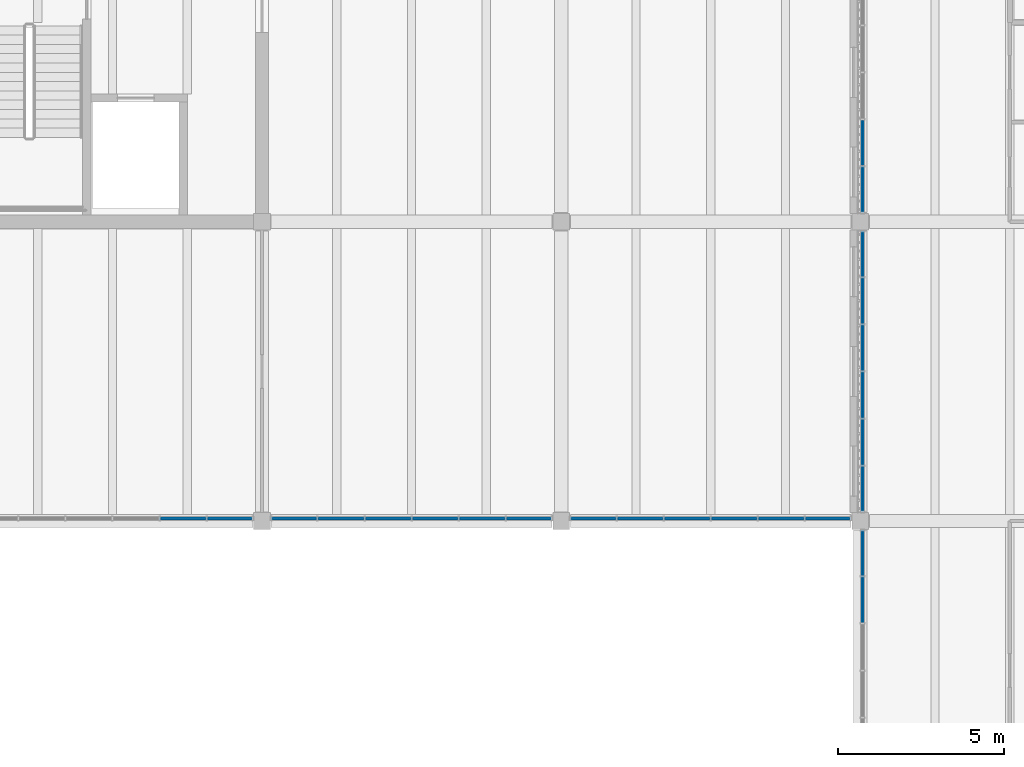
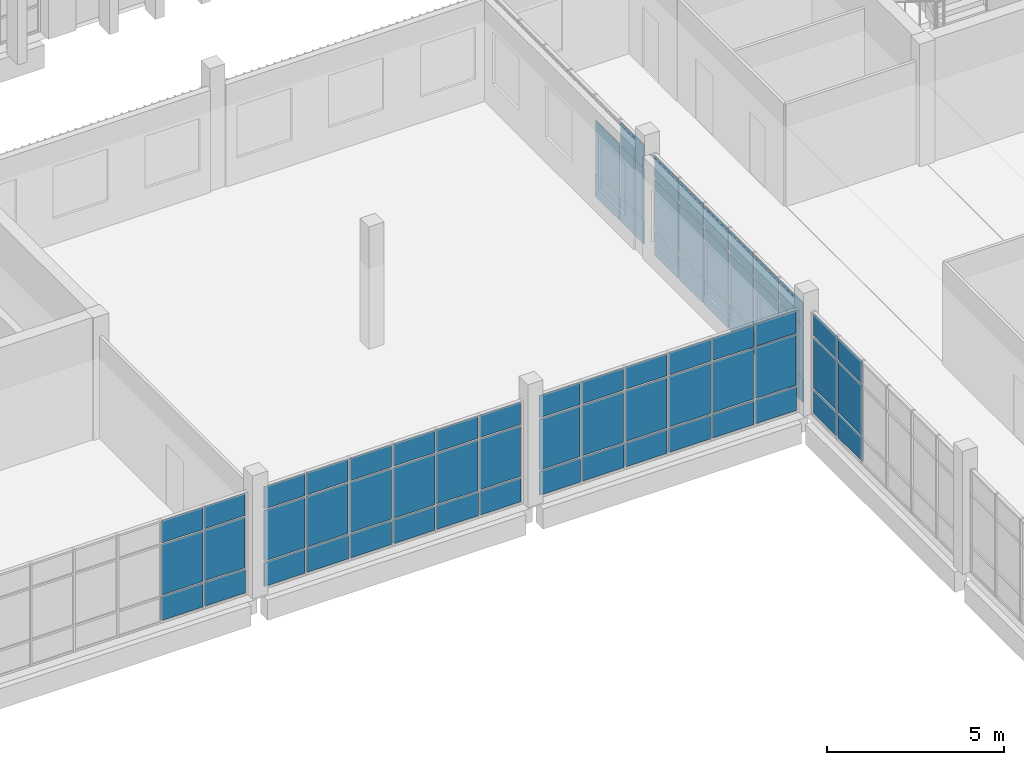
# One storey, part 43 of 92: 71 plates, 6 elements without a shape of their own.
"""IFC4 building model written with IfcOpenShell, lengths in metres."""

from ifc_helpers import new_model, si_unit, direction, frame, origin, origin_2d, place, context, subcontext, project, spatial, rectangle, extrude, material, layer, layer_set, type_object, element, aggregate, save


model = new_model("IFC4")

# Units and contexts
model_context = context("Model", 3, precision=1e-05, world=origin(), true_north=direction((0.0, 1.0)))
body_context = subcontext(model_context, "Body", "Model", "MODEL_VIEW")
ifc_project = project(units=[si_unit("LENGTHUNIT", "METRE"), si_unit("AREAUNIT", "SQUARE_METRE"), si_unit("VOLUMEUNIT", "CUBIC_METRE"), si_unit("PLANEANGLEUNIT", "RADIAN"), si_unit("MASSUNIT", "GRAM", prefix="KILO")], contexts=[model_context])

# Site, building, storey
site_placement = place(None, origin())
site = spatial("IfcSite", under=ifc_project, at=site_placement, CompositionType="ELEMENT")
building_placement = place(site_placement, origin())
building = spatial("IfcBuilding", under=site, at=building_placement, Name="Merrow Basin Faculty of Sciences", CompositionType="ELEMENT")
storey_placement = place(building_placement, frame((0.0, 0.0, 4.5)))
storey = spatial("IfcBuildingStorey", under=building, at=storey_placement, Name="L01", CompositionType="ELEMENT", Elevation=4.5)

# Curtain wall, plates
ifc_material_1 = material(Name="Aluminium alloy 6063", Category="aluminium")
curtain_wall_type = type_object("IfcCurtainWallType", Name="Court curtain wall 140", PredefinedType="NOTDEFINED", material=ifc_material_1)
curtain_wall_1_placement = place(storey_placement, origin())
curtain_wall_1 = element("IfcCurtainWall", 1, at=curtain_wall_1_placement, inside=storey, type_object=curtain_wall_type, Name="Court curtain wall L01 6", PredefinedType="NOTDEFINED")
ifc_material_2 = material(Name="Insulated aluminium spandrel panel", Category="aluminium")
ifc_layer_1 = layer(ifc_material_2, 0.052001953125)
ifc_layer_set_1 = layer_set([ifc_layer_1], Name="Insulated spandrel panel 52")
plate_type_1 = type_object("IfcPlateType", Name="Insulated spandrel panel 52", PredefinedType="CURTAIN_PANEL", material=ifc_layer_set_1)
plate_1_placement = place(storey_placement, frame((54.070068359375, 112.625, 0.06005859375), z_axis=(0.0, 0.0, 1.0), x_axis=(0.0, 1.0, 0.0)))
plate_1 = element("IfcPlate", 2, at=plate_1_placement, type_object=plate_type_1, Name="CW8 panel 5.1", PredefinedType="CURTAIN_PANEL", context=body_context, shape_type="SweptSolid", body=[
    extrude(rectangle(XDim=1.356689453125, YDim=0.052001953125, at=origin_2d()), origin(), (0.0, 0.0, 1.0), 0.81005859375),
])
plate_2_placement = place(storey_placement, frame((54.070068359375, 114.026611328125, 0.06005859375), z_axis=(0.0, 0.0, 1.0), x_axis=(0.0, 1.0, 0.0)))
plate_2 = element("IfcPlate", 3, at=plate_2_placement, type_object=plate_type_1, Name="CW8 panel 6.1", PredefinedType="CURTAIN_PANEL", context=body_context, shape_type="SweptSolid", body=[
    extrude(rectangle(XDim=1.32666015625, YDim=0.052001953125, at=origin_2d()), origin(), (0.0, 0.0, 1.0), 0.81005859375),
])

curtain_wall_2_placement = place(storey_placement, origin())
curtain_wall_2 = element("IfcCurtainWall", 4, at=curtain_wall_2_placement, inside=storey, type_object=curtain_wall_type, Name="Court curtain wall L01 7", PredefinedType="NOTDEFINED")
plate_3_placement = place(storey_placement, frame((54.070068359375, 115.973388671875, 0.06005859375), z_axis=(0.0, 0.0, 1.0), x_axis=(0.0, 1.0, 0.0)))
plate_3 = element("IfcPlate", 5, at=plate_3_placement, type_object=plate_type_1, Name="CW8 panel 1.1", PredefinedType="CURTAIN_PANEL", context=body_context, shape_type="SweptSolid", body=[
    extrude(rectangle(XDim=1.32666015625, YDim=0.052001953125, at=origin_2d()), origin(), (0.0, 0.0, 1.0), 0.81005859375),
])
plate_4_placement = place(storey_placement, frame((54.070068359375, 117.375, 0.06005859375), z_axis=(0.0, 0.0, 1.0), x_axis=(0.0, 1.0, 0.0)))
plate_4 = element("IfcPlate", 6, at=plate_4_placement, type_object=plate_type_1, Name="CW8 panel 2.1", PredefinedType="CURTAIN_PANEL", context=body_context, shape_type="SweptSolid", body=[
    extrude(rectangle(XDim=1.356689453125, YDim=0.052001953125, at=origin_2d()), origin(), (0.0, 0.0, 1.0), 0.81005859375),
])
plate_5_placement = place(storey_placement, frame((54.070068359375, 118.791748046875, 0.06005859375), z_axis=(0.0, 0.0, 1.0), x_axis=(0.0, 1.0, 0.0)))
plate_5 = element("IfcPlate", 7, at=plate_5_placement, type_object=plate_type_1, Name="CW8 panel 3.1", PredefinedType="CURTAIN_PANEL", context=body_context, shape_type="SweptSolid", body=[
    extrude(rectangle(XDim=1.356689453125, YDim=0.052001953125, at=origin_2d()), origin(), (0.0, 0.0, 1.0), 0.81005859375),
])
plate_6_placement = place(storey_placement, frame((54.070068359375, 120.208251953125, 0.06005859375), z_axis=(0.0, 0.0, 1.0), x_axis=(0.0, 1.0, 0.0)))
plate_6 = element("IfcPlate", 8, at=plate_6_placement, type_object=plate_type_1, Name="CW8 panel 4.1", PredefinedType="CURTAIN_PANEL", context=body_context, shape_type="SweptSolid", body=[
    extrude(rectangle(XDim=1.356689453125, YDim=0.052001953125, at=origin_2d()), origin(), (0.0, 0.0, 1.0), 0.81005859375),
])
plate_7_placement = place(storey_placement, frame((54.070068359375, 121.625, 0.06005859375), z_axis=(0.0, 0.0, 1.0), x_axis=(0.0, 1.0, 0.0)))
plate_7 = element("IfcPlate", 9, at=plate_7_placement, type_object=plate_type_1, Name="CW8 panel 5.1", PredefinedType="CURTAIN_PANEL", context=body_context, shape_type="SweptSolid", body=[
    extrude(rectangle(XDim=1.356689453125, YDim=0.052001953125, at=origin_2d()), origin(), (0.0, 0.0, 1.0), 0.81005859375),
])
plate_8_placement = place(storey_placement, frame((54.070068359375, 123.026611328125, 0.06005859375), z_axis=(0.0, 0.0, 1.0), x_axis=(0.0, 1.0, 0.0)))
plate_8 = element("IfcPlate", 10, at=plate_8_placement, type_object=plate_type_1, Name="CW8 panel 6.1", PredefinedType="CURTAIN_PANEL", context=body_context, shape_type="SweptSolid", body=[
    extrude(rectangle(XDim=1.32666015625, YDim=0.052001953125, at=origin_2d()), origin(), (0.0, 0.0, 1.0), 0.81005859375),
])

curtain_wall_3_placement = place(storey_placement, origin())
curtain_wall_3 = element("IfcCurtainWall", 11, at=curtain_wall_3_placement, inside=storey, type_object=curtain_wall_type, Name="Court curtain wall L01 8", PredefinedType="NOTDEFINED")
plate_9_placement = place(storey_placement, frame((54.070068359375, 124.973388671875, 0.06005859375), z_axis=(0.0, 0.0, 1.0), x_axis=(0.0, 1.0, 0.0)))
plate_9 = element("IfcPlate", 12, at=plate_9_placement, type_object=plate_type_1, Name="CW8 panel 1.1", PredefinedType="CURTAIN_PANEL", context=body_context, shape_type="SweptSolid", body=[
    extrude(rectangle(XDim=1.32666015625, YDim=0.052001953125, at=origin_2d()), origin(), (0.0, 0.0, 1.0), 0.81005859375),
])
plate_10_placement = place(storey_placement, frame((54.070068359375, 126.375, 0.06005859375), z_axis=(0.0, 0.0, 1.0), x_axis=(0.0, 1.0, 0.0)))
plate_10 = element("IfcPlate", 13, at=plate_10_placement, type_object=plate_type_1, Name="CW8 panel 2.1", PredefinedType="CURTAIN_PANEL", context=body_context, shape_type="SweptSolid", body=[
    extrude(rectangle(XDim=1.356689453125, YDim=0.052001953125, at=origin_2d()), origin(), (0.0, 0.0, 1.0), 0.81005859375),
])

curtain_wall_4_placement = place(storey_placement, origin())
curtain_wall_4 = element("IfcCurtainWall", 14, at=curtain_wall_4_placement, inside=storey, type_object=curtain_wall_type, Name="Court curtain wall L01 1", PredefinedType="NOTDEFINED")
plate_11_placement = place(storey_placement, frame((33.625, 115.070068359375, 0.06005859375), z_axis=(0.0, 0.0, 1.0), x_axis=(1.0, 0.0, 0.0)))
plate_11 = element("IfcPlate", 15, at=plate_11_placement, type_object=plate_type_1, Name="CW8 panel 5.1", PredefinedType="CURTAIN_PANEL", context=body_context, shape_type="SweptSolid", body=[
    extrude(rectangle(XDim=1.356689453125, YDim=0.052001953125, at=origin_2d()), origin(), (0.0, 0.0, 1.0), 0.81005859375),
])
plate_12_placement = place(storey_placement, frame((35.026611328125, 115.070068359375, 0.06005859375), z_axis=(0.0, 0.0, 1.0), x_axis=(1.0, 0.0, 0.0)))
plate_12 = element("IfcPlate", 16, at=plate_12_placement, type_object=plate_type_1, Name="CW8 panel 6.1", PredefinedType="CURTAIN_PANEL", context=body_context, shape_type="SweptSolid", body=[
    extrude(rectangle(XDim=1.32666015625, YDim=0.052001953125, at=origin_2d()), origin(), (0.0, 0.0, 1.0), 0.81005859375),
])

curtain_wall_5_placement = place(storey_placement, origin())
curtain_wall_5 = element("IfcCurtainWall", 17, at=curtain_wall_5_placement, inside=storey, type_object=curtain_wall_type, Name="Court curtain wall L01 2", PredefinedType="NOTDEFINED")
plate_13_placement = place(storey_placement, frame((36.973388671875, 115.070068359375, 0.06005859375), z_axis=(0.0, 0.0, 1.0), x_axis=(1.0, 0.0, 0.0)))
plate_13 = element("IfcPlate", 18, at=plate_13_placement, type_object=plate_type_1, Name="CW8 panel 1.1", PredefinedType="CURTAIN_PANEL", context=body_context, shape_type="SweptSolid", body=[
    extrude(rectangle(XDim=1.32666015625, YDim=0.052001953125, at=origin_2d()), origin(), (0.0, 0.0, 1.0), 0.81005859375),
])
plate_14_placement = place(storey_placement, frame((38.375, 115.070068359375, 0.06005859375), z_axis=(0.0, 0.0, 1.0), x_axis=(1.0, 0.0, 0.0)))
plate_14 = element("IfcPlate", 19, at=plate_14_placement, type_object=plate_type_1, Name="CW8 panel 2.1", PredefinedType="CURTAIN_PANEL", context=body_context, shape_type="SweptSolid", body=[
    extrude(rectangle(XDim=1.356689453125, YDim=0.052001953125, at=origin_2d()), origin(), (0.0, 0.0, 1.0), 0.81005859375),
])
plate_15_placement = place(storey_placement, frame((39.791748046875, 115.070068359375, 0.06005859375), z_axis=(0.0, 0.0, 1.0), x_axis=(1.0, 0.0, 0.0)))
plate_15 = element("IfcPlate", 20, at=plate_15_placement, type_object=plate_type_1, Name="CW8 panel 3.1", PredefinedType="CURTAIN_PANEL", context=body_context, shape_type="SweptSolid", body=[
    extrude(rectangle(XDim=1.356689453125, YDim=0.052001953125, at=origin_2d()), origin(), (0.0, 0.0, 1.0), 0.81005859375),
])
plate_16_placement = place(storey_placement, frame((41.208251953125, 115.070068359375, 0.06005859375), z_axis=(0.0, 0.0, 1.0), x_axis=(1.0, 0.0, 0.0)))
plate_16 = element("IfcPlate", 21, at=plate_16_placement, type_object=plate_type_1, Name="CW8 panel 4.1", PredefinedType="CURTAIN_PANEL", context=body_context, shape_type="SweptSolid", body=[
    extrude(rectangle(XDim=1.356689453125, YDim=0.052001953125, at=origin_2d()), origin(), (0.0, 0.0, 1.0), 0.81005859375),
])
plate_17_placement = place(storey_placement, frame((42.625, 115.070068359375, 0.06005859375), z_axis=(0.0, 0.0, 1.0), x_axis=(1.0, 0.0, 0.0)))
plate_17 = element("IfcPlate", 22, at=plate_17_placement, type_object=plate_type_1, Name="CW8 panel 5.1", PredefinedType="CURTAIN_PANEL", context=body_context, shape_type="SweptSolid", body=[
    extrude(rectangle(XDim=1.356689453125, YDim=0.052001953125, at=origin_2d()), origin(), (0.0, 0.0, 1.0), 0.81005859375),
])
plate_18_placement = place(storey_placement, frame((44.026611328125, 115.070068359375, 0.06005859375), z_axis=(0.0, 0.0, 1.0), x_axis=(1.0, 0.0, 0.0)))
plate_18 = element("IfcPlate", 23, at=plate_18_placement, type_object=plate_type_1, Name="CW8 panel 6.1", PredefinedType="CURTAIN_PANEL", context=body_context, shape_type="SweptSolid", body=[
    extrude(rectangle(XDim=1.32666015625, YDim=0.052001953125, at=origin_2d()), origin(), (0.0, 0.0, 1.0), 0.81005859375),
])

curtain_wall_6_placement = place(storey_placement, origin())
curtain_wall_6 = element("IfcCurtainWall", 24, at=curtain_wall_6_placement, inside=storey, type_object=curtain_wall_type, Name="Court curtain wall L01 3", PredefinedType="NOTDEFINED")
plate_19_placement = place(storey_placement, frame((45.973388671875, 115.070068359375, 0.06005859375), z_axis=(0.0, 0.0, 1.0), x_axis=(1.0, 0.0, 0.0)))
plate_19 = element("IfcPlate", 25, at=plate_19_placement, type_object=plate_type_1, Name="CW8 panel 1.1", PredefinedType="CURTAIN_PANEL", context=body_context, shape_type="SweptSolid", body=[
    extrude(rectangle(XDim=1.32666015625, YDim=0.052001953125, at=origin_2d()), origin(), (0.0, 0.0, 1.0), 0.81005859375),
])
plate_20_placement = place(storey_placement, frame((47.375, 115.070068359375, 0.06005859375), z_axis=(0.0, 0.0, 1.0), x_axis=(1.0, 0.0, 0.0)))
plate_20 = element("IfcPlate", 26, at=plate_20_placement, type_object=plate_type_1, Name="CW8 panel 2.1", PredefinedType="CURTAIN_PANEL", context=body_context, shape_type="SweptSolid", body=[
    extrude(rectangle(XDim=1.356689453125, YDim=0.052001953125, at=origin_2d()), origin(), (0.0, 0.0, 1.0), 0.81005859375),
])
plate_21_placement = place(storey_placement, frame((48.791748046875, 115.070068359375, 0.06005859375), z_axis=(0.0, 0.0, 1.0), x_axis=(1.0, 0.0, 0.0)))
plate_21 = element("IfcPlate", 27, at=plate_21_placement, type_object=plate_type_1, Name="CW8 panel 3.1", PredefinedType="CURTAIN_PANEL", context=body_context, shape_type="SweptSolid", body=[
    extrude(rectangle(XDim=1.356689453125, YDim=0.052001953125, at=origin_2d()), origin(), (0.0, 0.0, 1.0), 0.81005859375),
])
plate_22_placement = place(storey_placement, frame((50.208251953125, 115.070068359375, 0.06005859375), z_axis=(0.0, 0.0, 1.0), x_axis=(1.0, 0.0, 0.0)))
plate_22 = element("IfcPlate", 28, at=plate_22_placement, type_object=plate_type_1, Name="CW8 panel 4.1", PredefinedType="CURTAIN_PANEL", context=body_context, shape_type="SweptSolid", body=[
    extrude(rectangle(XDim=1.356689453125, YDim=0.052001953125, at=origin_2d()), origin(), (0.0, 0.0, 1.0), 0.81005859375),
])
plate_23_placement = place(storey_placement, frame((51.625, 115.070068359375, 0.06005859375), z_axis=(0.0, 0.0, 1.0), x_axis=(1.0, 0.0, 0.0)))
plate_23 = element("IfcPlate", 29, at=plate_23_placement, type_object=plate_type_1, Name="CW8 panel 5.1", PredefinedType="CURTAIN_PANEL", context=body_context, shape_type="SweptSolid", body=[
    extrude(rectangle(XDim=1.356689453125, YDim=0.052001953125, at=origin_2d()), origin(), (0.0, 0.0, 1.0), 0.81005859375),
])
plate_24_placement = place(storey_placement, frame((53.026611328125, 115.070068359375, 0.06005859375), z_axis=(0.0, 0.0, 1.0), x_axis=(1.0, 0.0, 0.0)))
plate_24 = element("IfcPlate", 30, at=plate_24_placement, type_object=plate_type_1, Name="CW8 panel 6.1", PredefinedType="CURTAIN_PANEL", context=body_context, shape_type="SweptSolid", body=[
    extrude(rectangle(XDim=1.32666015625, YDim=0.052001953125, at=origin_2d()), origin(), (0.0, 0.0, 1.0), 0.81005859375),
])

# Plate
ifc_material_3 = material(Name="Low-E double glazing", Category="glass")
ifc_layer_2 = layer(ifc_material_3, 0.028076171875)
ifc_layer_set_2 = layer_set([ifc_layer_2], Name="Low-E double glazed panel 28")
plate_type_2 = type_object("IfcPlateType", Name="Low-E double glazed panel 28", PredefinedType="CURTAIN_PANEL", material=ifc_layer_set_2)
plate_25_placement = place(storey_placement, frame((54.070068359375, 112.625, 0.93017578125), z_axis=(0.0, 0.0, 1.0), x_axis=(0.0, 1.0, 0.0)))
plate_25 = element("IfcPlate", 31, at=plate_25_placement, type_object=plate_type_2, Name="CW8 panel 5.2", PredefinedType="CURTAIN_PANEL", context=body_context, shape_type="SweptSolid", body=[
    extrude(rectangle(XDim=1.356689453125, YDim=0.028076171875, at=origin_2d()), origin(), (0.0, 0.0, 1.0), 1.739990234375),
])

plate_26_placement = place(storey_placement, frame((54.070068359375, 112.625, 2.72998046875), z_axis=(0.0, 0.0, 1.0), x_axis=(0.0, 1.0, 0.0)))
plate_26 = element("IfcPlate", 32, at=plate_26_placement, type_object=plate_type_2, Name="CW8 panel 5.3", PredefinedType="CURTAIN_PANEL", context=body_context, shape_type="SweptSolid", body=[
    extrude(rectangle(XDim=1.356689453125, YDim=0.028076171875, at=origin_2d()), origin(), (0.0, 0.0, 1.0), 0.760009765625),
])

plate_27_placement = place(storey_placement, frame((54.070068359375, 114.026611328125, 0.93017578125), z_axis=(0.0, 0.0, 1.0), x_axis=(0.0, 1.0, 0.0)))
plate_27 = element("IfcPlate", 33, at=plate_27_placement, type_object=plate_type_2, Name="CW8 panel 6.2", PredefinedType="CURTAIN_PANEL", context=body_context, shape_type="SweptSolid", body=[
    extrude(rectangle(XDim=1.32666015625, YDim=0.028076171875, at=origin_2d()), origin(), (0.0, 0.0, 1.0), 1.739990234375),
])

plate_28_placement = place(storey_placement, frame((54.070068359375, 114.026611328125, 2.72998046875), z_axis=(0.0, 0.0, 1.0), x_axis=(0.0, 1.0, 0.0)))
plate_28 = element("IfcPlate", 34, at=plate_28_placement, type_object=plate_type_2, Name="CW8 panel 6.3", PredefinedType="CURTAIN_PANEL", context=body_context, shape_type="SweptSolid", body=[
    extrude(rectangle(XDim=1.32666015625, YDim=0.028076171875, at=origin_2d()), origin(), (0.0, 0.0, 1.0), 0.760009765625),
])

aggregate(curtain_wall_1, [plate_1, plate_25, plate_26, plate_2, plate_27, plate_28])

plate_29_placement = place(storey_placement, frame((54.070068359375, 115.973388671875, 0.93017578125), z_axis=(0.0, 0.0, 1.0), x_axis=(0.0, 1.0, 0.0)))
plate_29 = element("IfcPlate", 35, at=plate_29_placement, type_object=plate_type_2, Name="CW8 panel 1.2", PredefinedType="CURTAIN_PANEL", context=body_context, shape_type="SweptSolid", body=[
    extrude(rectangle(XDim=1.32666015625, YDim=0.028076171875, at=origin_2d()), origin(), (0.0, 0.0, 1.0), 1.739990234375),
])

plate_30_placement = place(storey_placement, frame((54.070068359375, 115.973388671875, 2.72998046875), z_axis=(0.0, 0.0, 1.0), x_axis=(0.0, 1.0, 0.0)))
plate_30 = element("IfcPlate", 36, at=plate_30_placement, type_object=plate_type_2, Name="CW8 panel 1.3", PredefinedType="CURTAIN_PANEL", context=body_context, shape_type="SweptSolid", body=[
    extrude(rectangle(XDim=1.32666015625, YDim=0.028076171875, at=origin_2d()), origin(), (0.0, 0.0, 1.0), 0.760009765625),
])

plate_31_placement = place(storey_placement, frame((54.070068359375, 117.375, 0.93017578125), z_axis=(0.0, 0.0, 1.0), x_axis=(0.0, 1.0, 0.0)))
plate_31 = element("IfcPlate", 37, at=plate_31_placement, type_object=plate_type_2, Name="CW8 panel 2.2", PredefinedType="CURTAIN_PANEL", context=body_context, shape_type="SweptSolid", body=[
    extrude(rectangle(XDim=1.356689453125, YDim=0.028076171875, at=origin_2d()), origin(), (0.0, 0.0, 1.0), 1.739990234375),
])

plate_32_placement = place(storey_placement, frame((54.070068359375, 117.375, 2.72998046875), z_axis=(0.0, 0.0, 1.0), x_axis=(0.0, 1.0, 0.0)))
plate_32 = element("IfcPlate", 38, at=plate_32_placement, type_object=plate_type_2, Name="CW8 panel 2.3", PredefinedType="CURTAIN_PANEL", context=body_context, shape_type="SweptSolid", body=[
    extrude(rectangle(XDim=1.356689453125, YDim=0.028076171875, at=origin_2d()), origin(), (0.0, 0.0, 1.0), 0.760009765625),
])

plate_33_placement = place(storey_placement, frame((54.070068359375, 118.791748046875, 0.93017578125), z_axis=(0.0, 0.0, 1.0), x_axis=(0.0, 1.0, 0.0)))
plate_33 = element("IfcPlate", 39, at=plate_33_placement, type_object=plate_type_2, Name="CW8 panel 3.2", PredefinedType="CURTAIN_PANEL", context=body_context, shape_type="SweptSolid", body=[
    extrude(rectangle(XDim=1.356689453125, YDim=0.028076171875, at=origin_2d()), origin(), (0.0, 0.0, 1.0), 1.739990234375),
])

plate_34_placement = place(storey_placement, frame((54.070068359375, 118.791748046875, 2.72998046875), z_axis=(0.0, 0.0, 1.0), x_axis=(0.0, 1.0, 0.0)))
plate_34 = element("IfcPlate", 40, at=plate_34_placement, type_object=plate_type_2, Name="CW8 panel 3.3", PredefinedType="CURTAIN_PANEL", context=body_context, shape_type="SweptSolid", body=[
    extrude(rectangle(XDim=1.356689453125, YDim=0.028076171875, at=origin_2d()), origin(), (0.0, 0.0, 1.0), 0.760009765625),
])

plate_35_placement = place(storey_placement, frame((54.070068359375, 120.208251953125, 0.93017578125), z_axis=(0.0, 0.0, 1.0), x_axis=(0.0, 1.0, 0.0)))
plate_35 = element("IfcPlate", 41, at=plate_35_placement, type_object=plate_type_2, Name="CW8 panel 4.2", PredefinedType="CURTAIN_PANEL", context=body_context, shape_type="SweptSolid", body=[
    extrude(rectangle(XDim=1.356689453125, YDim=0.028076171875, at=origin_2d()), origin(), (0.0, 0.0, 1.0), 1.739990234375),
])

plate_36_placement = place(storey_placement, frame((54.070068359375, 120.208251953125, 2.72998046875), z_axis=(0.0, 0.0, 1.0), x_axis=(0.0, 1.0, 0.0)))
plate_36 = element("IfcPlate", 42, at=plate_36_placement, type_object=plate_type_2, Name="CW8 panel 4.3", PredefinedType="CURTAIN_PANEL", context=body_context, shape_type="SweptSolid", body=[
    extrude(rectangle(XDim=1.356689453125, YDim=0.028076171875, at=origin_2d()), origin(), (0.0, 0.0, 1.0), 0.760009765625),
])

plate_37_placement = place(storey_placement, frame((54.070068359375, 121.625, 0.93017578125), z_axis=(0.0, 0.0, 1.0), x_axis=(0.0, 1.0, 0.0)))
plate_37 = element("IfcPlate", 43, at=plate_37_placement, type_object=plate_type_2, Name="CW8 panel 5.2", PredefinedType="CURTAIN_PANEL", context=body_context, shape_type="SweptSolid", body=[
    extrude(rectangle(XDim=1.356689453125, YDim=0.028076171875, at=origin_2d()), origin(), (0.0, 0.0, 1.0), 1.739990234375),
])

plate_38_placement = place(storey_placement, frame((54.070068359375, 121.625, 2.72998046875), z_axis=(0.0, 0.0, 1.0), x_axis=(0.0, 1.0, 0.0)))
plate_38 = element("IfcPlate", 44, at=plate_38_placement, type_object=plate_type_2, Name="CW8 panel 5.3", PredefinedType="CURTAIN_PANEL", context=body_context, shape_type="SweptSolid", body=[
    extrude(rectangle(XDim=1.356689453125, YDim=0.028076171875, at=origin_2d()), origin(), (0.0, 0.0, 1.0), 0.760009765625),
])

plate_39_placement = place(storey_placement, frame((54.070068359375, 123.026611328125, 0.93017578125), z_axis=(0.0, 0.0, 1.0), x_axis=(0.0, 1.0, 0.0)))
plate_39 = element("IfcPlate", 45, at=plate_39_placement, type_object=plate_type_2, Name="CW8 panel 6.2", PredefinedType="CURTAIN_PANEL", context=body_context, shape_type="SweptSolid", body=[
    extrude(rectangle(XDim=1.32666015625, YDim=0.028076171875, at=origin_2d()), origin(), (0.0, 0.0, 1.0), 1.739990234375),
])

plate_40_placement = place(storey_placement, frame((54.070068359375, 123.026611328125, 2.72998046875), z_axis=(0.0, 0.0, 1.0), x_axis=(0.0, 1.0, 0.0)))
plate_40 = element("IfcPlate", 46, at=plate_40_placement, type_object=plate_type_2, Name="CW8 panel 6.3", PredefinedType="CURTAIN_PANEL", context=body_context, shape_type="SweptSolid", body=[
    extrude(rectangle(XDim=1.32666015625, YDim=0.028076171875, at=origin_2d()), origin(), (0.0, 0.0, 1.0), 0.760009765625),
])

aggregate(curtain_wall_2, [plate_3, plate_29, plate_30, plate_4, plate_31, plate_32, plate_5, plate_33, plate_34, plate_6, plate_35, plate_36, plate_7, plate_37, plate_38, plate_8, plate_39, plate_40])

plate_41_placement = place(storey_placement, frame((54.070068359375, 124.973388671875, 0.93017578125), z_axis=(0.0, 0.0, 1.0), x_axis=(0.0, 1.0, 0.0)))
plate_41 = element("IfcPlate", 47, at=plate_41_placement, type_object=plate_type_2, Name="CW8 panel 1.2", PredefinedType="CURTAIN_PANEL", context=body_context, shape_type="SweptSolid", body=[
    extrude(rectangle(XDim=1.32666015625, YDim=0.028076171875, at=origin_2d()), origin(), (0.0, 0.0, 1.0), 1.739990234375),
])

plate_42_placement = place(storey_placement, frame((54.070068359375, 124.973388671875, 2.72998046875), z_axis=(0.0, 0.0, 1.0), x_axis=(0.0, 1.0, 0.0)))
plate_42 = element("IfcPlate", 48, at=plate_42_placement, type_object=plate_type_2, Name="CW8 panel 1.3", PredefinedType="CURTAIN_PANEL", context=body_context, shape_type="SweptSolid", body=[
    extrude(rectangle(XDim=1.32666015625, YDim=0.028076171875, at=origin_2d()), origin(), (0.0, 0.0, 1.0), 0.760009765625),
])

plate_43_placement = place(storey_placement, frame((54.070068359375, 126.375, 0.93017578125), z_axis=(0.0, 0.0, 1.0), x_axis=(0.0, 1.0, 0.0)))
plate_43 = element("IfcPlate", 49, at=plate_43_placement, type_object=plate_type_2, Name="CW8 panel 2.2", PredefinedType="CURTAIN_PANEL", context=body_context, shape_type="SweptSolid", body=[
    extrude(rectangle(XDim=1.356689453125, YDim=0.028076171875, at=origin_2d()), origin(), (0.0, 0.0, 1.0), 1.739990234375),
])

aggregate(curtain_wall_3, [plate_9, plate_41, plate_42, plate_10, plate_43])

plate_44_placement = place(storey_placement, frame((33.625, 115.070068359375, 0.93017578125), z_axis=(0.0, 0.0, 1.0), x_axis=(1.0, 0.0, 0.0)))
plate_44 = element("IfcPlate", 50, at=plate_44_placement, type_object=plate_type_2, Name="CW8 panel 5.2", PredefinedType="CURTAIN_PANEL", context=body_context, shape_type="SweptSolid", body=[
    extrude(rectangle(XDim=1.356689453125, YDim=0.028076171875, at=origin_2d()), origin(), (0.0, 0.0, 1.0), 1.739990234375),
])

plate_45_placement = place(storey_placement, frame((33.625, 115.070068359375, 2.72998046875), z_axis=(0.0, 0.0, 1.0), x_axis=(1.0, 0.0, 0.0)))
plate_45 = element("IfcPlate", 51, at=plate_45_placement, type_object=plate_type_2, Name="CW8 panel 5.3", PredefinedType="CURTAIN_PANEL", context=body_context, shape_type="SweptSolid", body=[
    extrude(rectangle(XDim=1.356689453125, YDim=0.028076171875, at=origin_2d()), origin(), (0.0, 0.0, 1.0), 0.760009765625),
])

plate_46_placement = place(storey_placement, frame((35.026611328125, 115.070068359375, 0.93017578125), z_axis=(0.0, 0.0, 1.0), x_axis=(1.0, 0.0, 0.0)))
plate_46 = element("IfcPlate", 52, at=plate_46_placement, type_object=plate_type_2, Name="CW8 panel 6.2", PredefinedType="CURTAIN_PANEL", context=body_context, shape_type="SweptSolid", body=[
    extrude(rectangle(XDim=1.32666015625, YDim=0.028076171875, at=origin_2d()), origin(), (0.0, 0.0, 1.0), 1.739990234375),
])

plate_47_placement = place(storey_placement, frame((35.026611328125, 115.070068359375, 2.72998046875), z_axis=(0.0, 0.0, 1.0), x_axis=(1.0, 0.0, 0.0)))
plate_47 = element("IfcPlate", 53, at=plate_47_placement, type_object=plate_type_2, Name="CW8 panel 6.3", PredefinedType="CURTAIN_PANEL", context=body_context, shape_type="SweptSolid", body=[
    extrude(rectangle(XDim=1.32666015625, YDim=0.028076171875, at=origin_2d()), origin(), (0.0, 0.0, 1.0), 0.760009765625),
])

aggregate(curtain_wall_4, [plate_11, plate_44, plate_45, plate_12, plate_46, plate_47])

plate_48_placement = place(storey_placement, frame((36.973388671875, 115.070068359375, 0.93017578125), z_axis=(0.0, 0.0, 1.0), x_axis=(1.0, 0.0, 0.0)))
plate_48 = element("IfcPlate", 54, at=plate_48_placement, type_object=plate_type_2, Name="CW8 panel 1.2", PredefinedType="CURTAIN_PANEL", context=body_context, shape_type="SweptSolid", body=[
    extrude(rectangle(XDim=1.32666015625, YDim=0.028076171875, at=origin_2d()), origin(), (0.0, 0.0, 1.0), 1.739990234375),
])

plate_49_placement = place(storey_placement, frame((36.973388671875, 115.070068359375, 2.72998046875), z_axis=(0.0, 0.0, 1.0), x_axis=(1.0, 0.0, 0.0)))
plate_49 = element("IfcPlate", 55, at=plate_49_placement, type_object=plate_type_2, Name="CW8 panel 1.3", PredefinedType="CURTAIN_PANEL", context=body_context, shape_type="SweptSolid", body=[
    extrude(rectangle(XDim=1.32666015625, YDim=0.028076171875, at=origin_2d()), origin(), (0.0, 0.0, 1.0), 0.760009765625),
])

plate_50_placement = place(storey_placement, frame((38.375, 115.070068359375, 0.93017578125), z_axis=(0.0, 0.0, 1.0), x_axis=(1.0, 0.0, 0.0)))
plate_50 = element("IfcPlate", 56, at=plate_50_placement, type_object=plate_type_2, Name="CW8 panel 2.2", PredefinedType="CURTAIN_PANEL", context=body_context, shape_type="SweptSolid", body=[
    extrude(rectangle(XDim=1.356689453125, YDim=0.028076171875, at=origin_2d()), origin(), (0.0, 0.0, 1.0), 1.739990234375),
])

plate_51_placement = place(storey_placement, frame((38.375, 115.070068359375, 2.72998046875), z_axis=(0.0, 0.0, 1.0), x_axis=(1.0, 0.0, 0.0)))
plate_51 = element("IfcPlate", 57, at=plate_51_placement, type_object=plate_type_2, Name="CW8 panel 2.3", PredefinedType="CURTAIN_PANEL", context=body_context, shape_type="SweptSolid", body=[
    extrude(rectangle(XDim=1.356689453125, YDim=0.028076171875, at=origin_2d()), origin(), (0.0, 0.0, 1.0), 0.760009765625),
])

plate_52_placement = place(storey_placement, frame((39.791748046875, 115.070068359375, 0.93017578125), z_axis=(0.0, 0.0, 1.0), x_axis=(1.0, 0.0, 0.0)))
plate_52 = element("IfcPlate", 58, at=plate_52_placement, type_object=plate_type_2, Name="CW8 panel 3.2", PredefinedType="CURTAIN_PANEL", context=body_context, shape_type="SweptSolid", body=[
    extrude(rectangle(XDim=1.356689453125, YDim=0.028076171875, at=origin_2d()), origin(), (0.0, 0.0, 1.0), 1.739990234375),
])

plate_53_placement = place(storey_placement, frame((39.791748046875, 115.070068359375, 2.72998046875), z_axis=(0.0, 0.0, 1.0), x_axis=(1.0, 0.0, 0.0)))
plate_53 = element("IfcPlate", 59, at=plate_53_placement, type_object=plate_type_2, Name="CW8 panel 3.3", PredefinedType="CURTAIN_PANEL", context=body_context, shape_type="SweptSolid", body=[
    extrude(rectangle(XDim=1.356689453125, YDim=0.028076171875, at=origin_2d()), origin(), (0.0, 0.0, 1.0), 0.760009765625),
])

plate_54_placement = place(storey_placement, frame((41.208251953125, 115.070068359375, 0.93017578125), z_axis=(0.0, 0.0, 1.0), x_axis=(1.0, 0.0, 0.0)))
plate_54 = element("IfcPlate", 60, at=plate_54_placement, type_object=plate_type_2, Name="CW8 panel 4.2", PredefinedType="CURTAIN_PANEL", context=body_context, shape_type="SweptSolid", body=[
    extrude(rectangle(XDim=1.356689453125, YDim=0.028076171875, at=origin_2d()), origin(), (0.0, 0.0, 1.0), 1.739990234375),
])

plate_55_placement = place(storey_placement, frame((41.208251953125, 115.070068359375, 2.72998046875), z_axis=(0.0, 0.0, 1.0), x_axis=(1.0, 0.0, 0.0)))
plate_55 = element("IfcPlate", 61, at=plate_55_placement, type_object=plate_type_2, Name="CW8 panel 4.3", PredefinedType="CURTAIN_PANEL", context=body_context, shape_type="SweptSolid", body=[
    extrude(rectangle(XDim=1.356689453125, YDim=0.028076171875, at=origin_2d()), origin(), (0.0, 0.0, 1.0), 0.760009765625),
])

plate_56_placement = place(storey_placement, frame((42.625, 115.070068359375, 0.93017578125), z_axis=(0.0, 0.0, 1.0), x_axis=(1.0, 0.0, 0.0)))
plate_56 = element("IfcPlate", 62, at=plate_56_placement, type_object=plate_type_2, Name="CW8 panel 5.2", PredefinedType="CURTAIN_PANEL", context=body_context, shape_type="SweptSolid", body=[
    extrude(rectangle(XDim=1.356689453125, YDim=0.028076171875, at=origin_2d()), origin(), (0.0, 0.0, 1.0), 1.739990234375),
])

plate_57_placement = place(storey_placement, frame((42.625, 115.070068359375, 2.72998046875), z_axis=(0.0, 0.0, 1.0), x_axis=(1.0, 0.0, 0.0)))
plate_57 = element("IfcPlate", 63, at=plate_57_placement, type_object=plate_type_2, Name="CW8 panel 5.3", PredefinedType="CURTAIN_PANEL", context=body_context, shape_type="SweptSolid", body=[
    extrude(rectangle(XDim=1.356689453125, YDim=0.028076171875, at=origin_2d()), origin(), (0.0, 0.0, 1.0), 0.760009765625),
])

plate_58_placement = place(storey_placement, frame((44.026611328125, 115.070068359375, 0.93017578125), z_axis=(0.0, 0.0, 1.0), x_axis=(1.0, 0.0, 0.0)))
plate_58 = element("IfcPlate", 64, at=plate_58_placement, type_object=plate_type_2, Name="CW8 panel 6.2", PredefinedType="CURTAIN_PANEL", context=body_context, shape_type="SweptSolid", body=[
    extrude(rectangle(XDim=1.32666015625, YDim=0.028076171875, at=origin_2d()), origin(), (0.0, 0.0, 1.0), 1.739990234375),
])

plate_59_placement = place(storey_placement, frame((44.026611328125, 115.070068359375, 2.72998046875), z_axis=(0.0, 0.0, 1.0), x_axis=(1.0, 0.0, 0.0)))
plate_59 = element("IfcPlate", 65, at=plate_59_placement, type_object=plate_type_2, Name="CW8 panel 6.3", PredefinedType="CURTAIN_PANEL", context=body_context, shape_type="SweptSolid", body=[
    extrude(rectangle(XDim=1.32666015625, YDim=0.028076171875, at=origin_2d()), origin(), (0.0, 0.0, 1.0), 0.760009765625),
])

aggregate(curtain_wall_5, [plate_13, plate_48, plate_49, plate_14, plate_50, plate_51, plate_15, plate_52, plate_53, plate_16, plate_54, plate_55, plate_17, plate_56, plate_57, plate_18, plate_58, plate_59])

plate_60_placement = place(storey_placement, frame((45.973388671875, 115.070068359375, 0.93017578125), z_axis=(0.0, 0.0, 1.0), x_axis=(1.0, 0.0, 0.0)))
plate_60 = element("IfcPlate", 66, at=plate_60_placement, type_object=plate_type_2, Name="CW8 panel 1.2", PredefinedType="CURTAIN_PANEL", context=body_context, shape_type="SweptSolid", body=[
    extrude(rectangle(XDim=1.32666015625, YDim=0.028076171875, at=origin_2d()), origin(), (0.0, 0.0, 1.0), 1.739990234375),
])

plate_61_placement = place(storey_placement, frame((45.973388671875, 115.070068359375, 2.72998046875), z_axis=(0.0, 0.0, 1.0), x_axis=(1.0, 0.0, 0.0)))
plate_61 = element("IfcPlate", 67, at=plate_61_placement, type_object=plate_type_2, Name="CW8 panel 1.3", PredefinedType="CURTAIN_PANEL", context=body_context, shape_type="SweptSolid", body=[
    extrude(rectangle(XDim=1.32666015625, YDim=0.028076171875, at=origin_2d()), origin(), (0.0, 0.0, 1.0), 0.760009765625),
])

plate_62_placement = place(storey_placement, frame((47.375, 115.070068359375, 0.93017578125), z_axis=(0.0, 0.0, 1.0), x_axis=(1.0, 0.0, 0.0)))
plate_62 = element("IfcPlate", 68, at=plate_62_placement, type_object=plate_type_2, Name="CW8 panel 2.2", PredefinedType="CURTAIN_PANEL", context=body_context, shape_type="SweptSolid", body=[
    extrude(rectangle(XDim=1.356689453125, YDim=0.028076171875, at=origin_2d()), origin(), (0.0, 0.0, 1.0), 1.739990234375),
])

plate_63_placement = place(storey_placement, frame((47.375, 115.070068359375, 2.72998046875), z_axis=(0.0, 0.0, 1.0), x_axis=(1.0, 0.0, 0.0)))
plate_63 = element("IfcPlate", 69, at=plate_63_placement, type_object=plate_type_2, Name="CW8 panel 2.3", PredefinedType="CURTAIN_PANEL", context=body_context, shape_type="SweptSolid", body=[
    extrude(rectangle(XDim=1.356689453125, YDim=0.028076171875, at=origin_2d()), origin(), (0.0, 0.0, 1.0), 0.760009765625),
])

plate_64_placement = place(storey_placement, frame((48.791748046875, 115.070068359375, 0.93017578125), z_axis=(0.0, 0.0, 1.0), x_axis=(1.0, 0.0, 0.0)))
plate_64 = element("IfcPlate", 70, at=plate_64_placement, type_object=plate_type_2, Name="CW8 panel 3.2", PredefinedType="CURTAIN_PANEL", context=body_context, shape_type="SweptSolid", body=[
    extrude(rectangle(XDim=1.356689453125, YDim=0.028076171875, at=origin_2d()), origin(), (0.0, 0.0, 1.0), 1.739990234375),
])

plate_65_placement = place(storey_placement, frame((48.791748046875, 115.070068359375, 2.72998046875), z_axis=(0.0, 0.0, 1.0), x_axis=(1.0, 0.0, 0.0)))
plate_65 = element("IfcPlate", 71, at=plate_65_placement, type_object=plate_type_2, Name="CW8 panel 3.3", PredefinedType="CURTAIN_PANEL", context=body_context, shape_type="SweptSolid", body=[
    extrude(rectangle(XDim=1.356689453125, YDim=0.028076171875, at=origin_2d()), origin(), (0.0, 0.0, 1.0), 0.760009765625),
])

plate_66_placement = place(storey_placement, frame((50.208251953125, 115.070068359375, 0.93017578125), z_axis=(0.0, 0.0, 1.0), x_axis=(1.0, 0.0, 0.0)))
plate_66 = element("IfcPlate", 72, at=plate_66_placement, type_object=plate_type_2, Name="CW8 panel 4.2", PredefinedType="CURTAIN_PANEL", context=body_context, shape_type="SweptSolid", body=[
    extrude(rectangle(XDim=1.356689453125, YDim=0.028076171875, at=origin_2d()), origin(), (0.0, 0.0, 1.0), 1.739990234375),
])

plate_67_placement = place(storey_placement, frame((50.208251953125, 115.070068359375, 2.72998046875), z_axis=(0.0, 0.0, 1.0), x_axis=(1.0, 0.0, 0.0)))
plate_67 = element("IfcPlate", 73, at=plate_67_placement, type_object=plate_type_2, Name="CW8 panel 4.3", PredefinedType="CURTAIN_PANEL", context=body_context, shape_type="SweptSolid", body=[
    extrude(rectangle(XDim=1.356689453125, YDim=0.028076171875, at=origin_2d()), origin(), (0.0, 0.0, 1.0), 0.760009765625),
])

plate_68_placement = place(storey_placement, frame((51.625, 115.070068359375, 0.93017578125), z_axis=(0.0, 0.0, 1.0), x_axis=(1.0, 0.0, 0.0)))
plate_68 = element("IfcPlate", 74, at=plate_68_placement, type_object=plate_type_2, Name="CW8 panel 5.2", PredefinedType="CURTAIN_PANEL", context=body_context, shape_type="SweptSolid", body=[
    extrude(rectangle(XDim=1.356689453125, YDim=0.028076171875, at=origin_2d()), origin(), (0.0, 0.0, 1.0), 1.739990234375),
])

plate_69_placement = place(storey_placement, frame((51.625, 115.070068359375, 2.72998046875), z_axis=(0.0, 0.0, 1.0), x_axis=(1.0, 0.0, 0.0)))
plate_69 = element("IfcPlate", 75, at=plate_69_placement, type_object=plate_type_2, Name="CW8 panel 5.3", PredefinedType="CURTAIN_PANEL", context=body_context, shape_type="SweptSolid", body=[
    extrude(rectangle(XDim=1.356689453125, YDim=0.028076171875, at=origin_2d()), origin(), (0.0, 0.0, 1.0), 0.760009765625),
])

plate_70_placement = place(storey_placement, frame((53.026611328125, 115.070068359375, 0.93017578125), z_axis=(0.0, 0.0, 1.0), x_axis=(1.0, 0.0, 0.0)))
plate_70 = element("IfcPlate", 76, at=plate_70_placement, type_object=plate_type_2, Name="CW8 panel 6.2", PredefinedType="CURTAIN_PANEL", context=body_context, shape_type="SweptSolid", body=[
    extrude(rectangle(XDim=1.32666015625, YDim=0.028076171875, at=origin_2d()), origin(), (0.0, 0.0, 1.0), 1.739990234375),
])

plate_71_placement = place(storey_placement, frame((53.026611328125, 115.070068359375, 2.72998046875), z_axis=(0.0, 0.0, 1.0), x_axis=(1.0, 0.0, 0.0)))
plate_71 = element("IfcPlate", 77, at=plate_71_placement, type_object=plate_type_2, Name="CW8 panel 6.3", PredefinedType="CURTAIN_PANEL", context=body_context, shape_type="SweptSolid", body=[
    extrude(rectangle(XDim=1.32666015625, YDim=0.028076171875, at=origin_2d()), origin(), (0.0, 0.0, 1.0), 0.760009765625),
])

aggregate(curtain_wall_6, [plate_19, plate_60, plate_61, plate_20, plate_62, plate_63, plate_21, plate_64, plate_65, plate_22, plate_66, plate_67, plate_23, plate_68, plate_69, plate_24, plate_70, plate_71])

save(model, "model.ifc")
